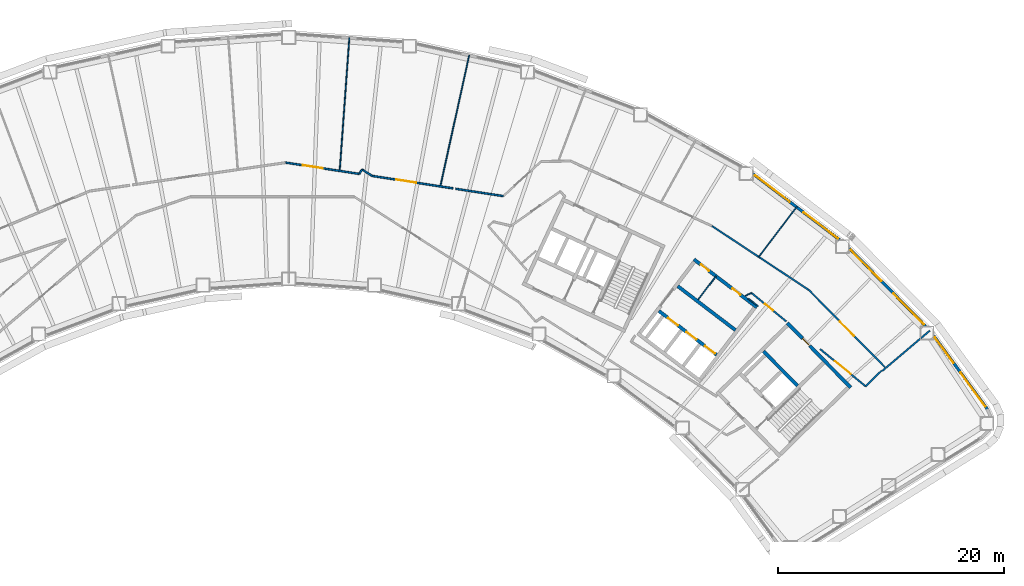
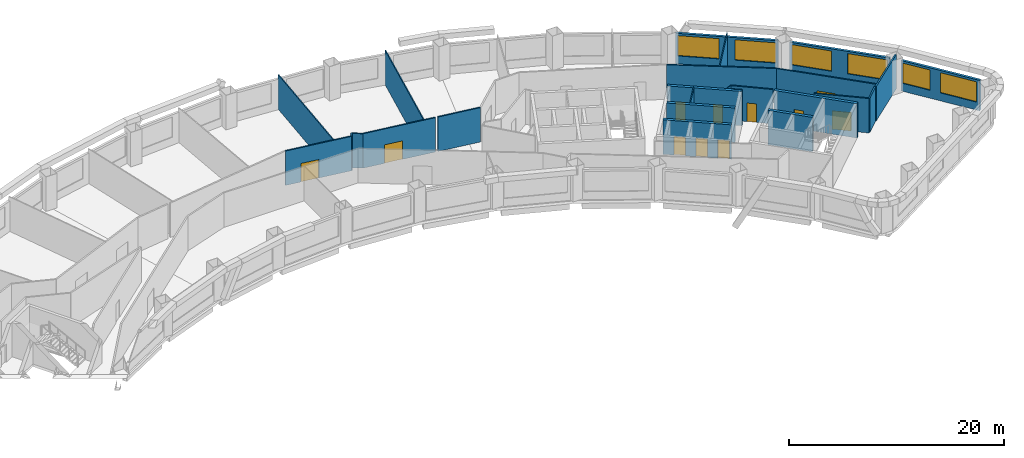
# One storey, part 7 of 11: 25 walls, 11 doors, 6 windows, 17 openings.
"""IFC4 building model written with IfcOpenShell, lengths in metres."""

from ifc_helpers import new_model, si_unit, direction, frame, frame_2d, origin, place, context, subcontext, project, spatial, rectangle, extrude, material, layer, layer_set, type_object, element, fill, save


model = new_model("IFC4")

# Units and contexts
model_context = context("Model", 3, precision=1e-05, world=origin(), true_north=direction((0.0, 1.0)))
body_context = subcontext(model_context, "Body", "Model", "MODEL_VIEW")
ifc_project = project(units=[si_unit("LENGTHUNIT", "METRE"), si_unit("AREAUNIT", "SQUARE_METRE"), si_unit("VOLUMEUNIT", "CUBIC_METRE"), si_unit("PLANEANGLEUNIT", "RADIAN"), si_unit("MASSUNIT", "GRAM", prefix="KILO")], contexts=[model_context])

# Site, building, storey
site_placement = place(None, origin())
site = spatial("IfcSite", under=ifc_project, at=site_placement, CompositionType="ELEMENT")
building_placement = place(site_placement, origin())
building = spatial("IfcBuilding", under=site, at=building_placement, Name="Tuul Gate Civic Tower", CompositionType="ELEMENT")
storey_placement = place(building_placement, frame((0.0, 0.0, 69.60009765625)))
storey = spatial("IfcBuildingStorey", under=building, at=storey_placement, Name="Level 15", CompositionType="ELEMENT", Elevation=69.60009765625)

# Wall
ifc_material_1 = material(Name="Concrete C50/60", Category="concrete")
ifc_layer_1 = layer(ifc_material_1, 0.300048828125)
ifc_layer_set_1 = layer_set([ifc_layer_1], Name="Concrete C50/60")
wall_type_1 = type_object("IfcWallType", Name="Core wall C50/60", PredefinedType="SHEAR", material=ifc_layer_set_1)
wall_1_placement = place(storey_placement, frame((49.737060546875, -12.0849609375, 0.0), z_axis=(0.0, 0.0, 1.0), x_axis=(-0.700002721075, 0.714140175657, 0.0)))
element("IfcWall", 1, at=wall_1_placement, inside=storey, type_object=wall_type_1, Name="Core wall", PredefinedType="SHEAR", context=body_context, shape_type="SweptSolid", body=[
    extrude(rectangle(XDim=4.300048828125, YDim=0.300048828125, at=frame_2d((2.14990234375, 0.0))), origin(), (0.0, 0.0, 1.0), 3.89990234375),
])

# Wall, opening, door
wall_2_placement = place(storey_placement, frame((54.43798828125, -12.23779296875, 0.0), z_axis=(0.0, 0.0, 1.0), x_axis=(-0.700021979774, 0.714121297703, 0.0)))
wall_2 = element("IfcWall", 2, at=wall_2_placement, inside=storey, type_object=wall_type_1, Name="Core wall", PredefinedType="SHEAR", context=body_context, shape_type="SweptSolid", body=[
    extrude(rectangle(XDim=8.0, YDim=0.300048828125, at=frame_2d((4.0, 0.0))), origin(), (0.0, 0.0, 1.0), 3.89990234375),
])
opening_1_placement = place(wall_2_placement, frame((5.175048828125, 0.0, 0.0)))
opening_1 = element("IfcOpeningElement", 3, at=opening_1_placement, cuts=wall_2, Name="Opening D-D26", PredefinedType="OPENING", context=body_context, shape_type="SweptSolid", body=[
    extrude(rectangle(XDim=0.89990234375, YDim=2.10009765625, at=frame_2d((0.449951171875, 1.050048828125))), frame((0.0, 0.16015625, 0.0), z_axis=(0.0, -1.0, 0.0), x_axis=(1.0, 0.0, 0.0)), (0.0, 0.0, 1.0), 0.320068359375),
])
ifc_material_2 = material(Name="Timber door leaf", Category="wood")
door_type_1 = type_object("IfcDoorType", Name="Door D09", OperationType="NOTDEFINED", PredefinedType="DOOR", material=ifc_material_2)
door_1_placement = place(opening_1_placement, origin())
door_1 = element("IfcDoor", 4, at=door_1_placement, inside=storey, type_object=door_type_1, Name="Door D-D26", OperationType="SINGLE_SWING_LEFT", OverallHeight=2.10009765625, OverallWidth=0.89990234375, PredefinedType="DOOR", context=body_context, shape_type="SweptSolid", body=[
    extrude(rectangle(XDim=0.89990234375, YDim=2.10009765625, at=frame_2d((0.449951171875, 1.050048828125))), frame((0.0, 0.02490234375, 0.0), z_axis=(0.0, -1.0, 0.0), x_axis=(1.0, 0.0, 0.0)), (0.0, 0.0, 1.0), 0.050048828125),
])
fill(opening_1, door_1)

# Walls
ifc_material_3 = material(Name="Gypsum board partition")
ifc_layer_2 = layer(ifc_material_3, 0.14990234375)
ifc_layer_set_2 = layer_set([ifc_layer_2], Name="Gypsum board partition")
wall_type_2 = type_object("IfcWallType", Name="Corridor wall P150", PredefinedType="PARTITIONING", material=ifc_layer_set_2)
wall_3_placement = place(storey_placement, frame((57.220703125, -10.765380859375, 0.0), z_axis=(0.0, 0.0, 1.0), x_axis=(0.762756963467, 0.646685251635, 0.0)))
element("IfcWall", 5, at=wall_3_placement, inside=storey, type_object=wall_type_2, Name="p005", PredefinedType="PARTITIONING", context=body_context, shape_type="SweptSolid", body=[
    extrude(rectangle(XDim=5.521240234375, YDim=0.14990234375, at=frame_2d((2.7607421875, 0.0))), origin(), (0.0, 0.0, 1.0), 3.89990234375),
])
wall_4_placement = place(storey_placement, frame((55.755859375, -12.125, 0.0), z_axis=(0.0, 0.0, 1.0), x_axis=(0.712114170621, 0.702063678024, 0.0)))
element("IfcWall", 6, at=wall_4_placement, inside=storey, type_object=wall_type_2, Name="p006", PredefinedType="PARTITIONING", context=body_context, shape_type="SweptSolid", body=[
    extrude(rectangle(XDim=1.991943359375, YDim=0.14990234375, at=frame_2d((0.99609375, 0.0))), origin(), (0.0, 0.0, 1.0), 3.89990234375),
])

# Wall, opening, door
wall_5_placement = place(storey_placement, frame((50.732421875, -3.612060546875, 0.0), z_axis=(0.0, 0.0, 1.0), x_axis=(0.702111461546, -0.712067058335, 0.0)))
wall_5 = element("IfcWall", 7, at=wall_5_placement, inside=storey, type_object=wall_type_2, Name="p007", PredefinedType="PARTITIONING", context=body_context, shape_type="SweptSolid", body=[
    extrude(rectangle(XDim=9.58837890625, YDim=0.14990234375, at=frame_2d((4.794189453125, 0.0))), origin(), (0.0, 0.0, 1.0), 3.89990234375),
])
opening_2_placement = place(wall_5_placement, frame((3.894287109375, 0.0, 0.0)))
opening_2 = element("IfcOpeningElement", 8, at=opening_2_placement, cuts=wall_5, Name="Opening D-D01", PredefinedType="OPENING", context=body_context, shape_type="SweptSolid", body=[
    extrude(rectangle(XDim=1.800048828125, YDim=2.10009765625, at=frame_2d((0.89990234375, 1.050048828125))), frame((0.0, 0.0849609375, 0.0), z_axis=(0.0, -1.0, 0.0), x_axis=(1.0, 0.0, 0.0)), (0.0, 0.0, 1.0), 0.169921875),
])
ifc_material_4 = material(Name="Timber door leaf, double", Category="wood")
door_type_2 = type_object("IfcDoorType", Name="Door D18", OperationType="DOUBLE_DOOR_SINGLE_SWING", PredefinedType="DOOR", material=ifc_material_4)
door_2_placement = place(opening_2_placement, origin())
door_2 = element("IfcDoor", 9, at=door_2_placement, inside=storey, type_object=door_type_2, Name="Door D-D01", OperationType="DOUBLE_DOOR_SINGLE_SWING", OverallHeight=2.10009765625, OverallWidth=1.800048828125, PredefinedType="DOOR", context=body_context, shape_type="SweptSolid", body=[
    extrude(rectangle(XDim=1.800048828125, YDim=2.10009765625, at=frame_2d((0.89990234375, 1.050048828125))), frame((0.0, 0.02490234375, 0.0), z_axis=(0.0, -1.0, 0.0), x_axis=(1.0, 0.0, 0.0)), (0.0, 0.0, 1.0), 0.050048828125),
])
fill(opening_2, door_2)

# Wall
wall_6_placement = place(storey_placement, frame((42.18701171875, 2.031005859375, 0.0), z_axis=(0.0, 0.0, 1.0), x_axis=(0.83447433261, -0.551046811274, 0.0)))
element("IfcWall", 10, at=wall_6_placement, inside=storey, type_object=wall_type_2, Name="p008", PredefinedType="PARTITIONING", context=body_context, shape_type="SweptSolid", body=[
    extrude(rectangle(XDim=10.2392578125, YDim=0.14990234375, at=frame_2d((5.11962890625, 0.0))), origin(), (0.0, 0.0, 1.0), 3.89990234375),
])

# Wall, opening, door
wall_7_placement = place(storey_placement, frame((4.53759765625, 7.633056640625, 0.0), z_axis=(0.0, 0.0, 1.0), x_axis=(0.988356636403, -0.152155050121, 0.0)))
wall_7 = element("IfcWall", 11, at=wall_7_placement, inside=storey, type_object=wall_type_2, Name="p015", PredefinedType="PARTITIONING", context=body_context, shape_type="SweptSolid", body=[
    extrude(rectangle(XDim=6.56103515625, YDim=0.14990234375, at=frame_2d((3.280517578125, 0.0))), origin(), (0.0, 0.0, 1.0), 3.89990234375),
])
opening_3_placement = place(wall_7_placement, frame((1.51220703125, 0.0, 0.0)))
opening_3 = element("IfcOpeningElement", 12, at=opening_3_placement, cuts=wall_7, Name="Opening D-D06", PredefinedType="OPENING", context=body_context, shape_type="SweptSolid", body=[
    extrude(rectangle(XDim=1.800048828125, YDim=2.10009765625, at=frame_2d((0.89990234375, 1.050048828125))), frame((0.0, 0.0849609375, 0.0), z_axis=(0.0, -1.0, 0.0), x_axis=(1.0, 0.0, 0.0)), (0.0, 0.0, 1.0), 0.169921875),
])
door_3_placement = place(opening_3_placement, origin())
door_3 = element("IfcDoor", 13, at=door_3_placement, inside=storey, type_object=door_type_2, Name="Door D-D06", OperationType="DOUBLE_DOOR_SINGLE_SWING", OverallHeight=2.10009765625, OverallWidth=1.800048828125, PredefinedType="DOOR", context=body_context, shape_type="SweptSolid", body=[
    extrude(rectangle(XDim=1.800048828125, YDim=2.10009765625, at=frame_2d((0.89990234375, 1.050048828125))), frame((0.0, 0.02490234375, 0.0), z_axis=(0.0, -1.0, 0.0), x_axis=(1.0, 0.0, 0.0)), (0.0, 0.0, 1.0), 0.050048828125),
])
fill(opening_3, door_3)

wall_8_placement = place(storey_placement, frame((12.17724609375, 6.456787109375, 0.0), z_axis=(0.0, 0.0, 1.0), x_axis=(0.988356444346, -0.15215629767, 0.0)))
wall_8 = element("IfcWall", 14, at=wall_8_placement, inside=storey, type_object=wall_type_2, Name="p016", PredefinedType="PARTITIONING", context=body_context, shape_type="SweptSolid", body=[
    extrude(rectangle(XDim=7.21875, YDim=0.14990234375, at=frame_2d((3.609375, 0.0))), origin(), (0.0, 0.0, 1.0), 3.89990234375),
])
opening_4_placement = place(wall_8_placement, frame((2.14208984375, 0.0, 0.0)))
opening_4 = element("IfcOpeningElement", 15, at=opening_4_placement, cuts=wall_8, Name="Opening D-D05", PredefinedType="OPENING", context=body_context, shape_type="SweptSolid", body=[
    extrude(rectangle(XDim=1.800048828125, YDim=2.10009765625, at=frame_2d((0.89990234375, 1.050048828125))), frame((0.0, 0.0849609375, 0.0), z_axis=(0.0, -1.0, 0.0), x_axis=(1.0, 0.0, 0.0)), (0.0, 0.0, 1.0), 0.169921875),
])
door_4_placement = place(opening_4_placement, origin())
door_4 = element("IfcDoor", 16, at=door_4_placement, inside=storey, type_object=door_type_2, Name="Door D-D05", OperationType="DOUBLE_DOOR_SINGLE_SWING", OverallHeight=2.10009765625, OverallWidth=1.800048828125, PredefinedType="DOOR", context=body_context, shape_type="SweptSolid", body=[
    extrude(rectangle(XDim=1.800048828125, YDim=2.10009765625, at=frame_2d((0.89990234375, 1.050048828125))), frame((0.0, 0.02490234375, 0.0), z_axis=(0.0, -1.0, 0.0), x_axis=(1.0, 0.0, 0.0)), (0.0, 0.0, 1.0), 0.050048828125),
])
fill(opening_4, door_4)

# Walls
wall_9_placement = place(storey_placement, frame((19.557861328125, 5.3203125, 0.0), z_axis=(0.0, 0.0, 1.0), x_axis=(0.988357045935, -0.152152389894, 0.0)))
element("IfcWall", 17, at=wall_9_placement, inside=storey, type_object=wall_type_2, Name="p017", PredefinedType="PARTITIONING", context=body_context, shape_type="SweptSolid", body=[
    extrude(rectangle(XDim=4.2392578125, YDim=0.14990234375, at=frame_2d((2.11962890625, 0.0))), origin(), (0.0, 0.0, 1.0), 3.89990234375),
])
wall_10_placement = place(storey_placement, frame((11.286865234375, 7.02490234375, 0.0), z_axis=(0.0, 0.0, 1.0), x_axis=(0.842191023911, -0.539179264478, 0.0)))
element("IfcWall", 18, at=wall_10_placement, inside=storey, type_object=wall_type_2, Name="p020", PredefinedType="PARTITIONING", context=body_context, shape_type="SweptSolid", body=[
    extrude(rectangle(XDim=1.04833984375, YDim=0.14990234375, at=frame_2d((0.524169921875, 0.0))), origin(), (0.0, 0.0, 1.0), 3.89990234375),
])
wall_11_placement = place(storey_placement, frame((11.0419921875, 6.6435546875, 0.0), z_axis=(0.0, 0.0, 1.0), x_axis=(0.539421014739, 0.842036204007, 0.0)))
element("IfcWall", 19, at=wall_11_placement, inside=storey, type_object=wall_type_2, Name="p022", PredefinedType="PARTITIONING", context=body_context, shape_type="SweptSolid", body=[
    extrude(rectangle(XDim=0.45263671875, YDim=0.14990234375, at=frame_2d((0.226318359375, 0.0))), origin(), (0.0, 0.0, 1.0), 3.89990234375),
])

# Wall, opening, door
wall_12_placement = place(storey_placement, frame((45.670166015625, -3.87744140625, 0.0), z_axis=(0.0, 0.0, 1.0), x_axis=(0.774123920391, -0.633034087454, 0.0)))
wall_12 = element("IfcWall", 20, at=wall_12_placement, inside=storey, type_object=wall_type_2, Name="p061", PredefinedType="PARTITIONING", context=body_context, shape_type="SweptSolid", body=[
    extrude(rectangle(XDim=3.981689453125, YDim=0.14990234375, at=frame_2d((1.99072265625, 0.0))), origin(), (0.0, 0.0, 1.0), 3.89990234375),
])
opening_5_placement = place(wall_12_placement, frame((1.541015625, 0.0, 0.0)))
opening_5 = element("IfcOpeningElement", 21, at=opening_5_placement, cuts=wall_12, Name="Opening D-D19", PredefinedType="OPENING", context=body_context, shape_type="SweptSolid", body=[
    extrude(rectangle(XDim=0.89990234375, YDim=2.10009765625, at=frame_2d((0.449951171875, 1.050048828125))), frame((0.0, 0.0849609375, 0.0), z_axis=(0.0, -1.0, 0.0), x_axis=(1.0, 0.0, 0.0)), (0.0, 0.0, 1.0), 0.169921875),
])
door_5_placement = place(opening_5_placement, frame((0.89990234375, 0.0, 0.0), z_axis=(0.0, 0.0, 1.0), x_axis=(-1.0, 0.0, 0.0)))
door_5 = element("IfcDoor", 22, at=door_5_placement, inside=storey, type_object=door_type_1, Name="Door D-D19", OperationType="SINGLE_SWING_LEFT", OverallHeight=2.10009765625, OverallWidth=0.89990234375, PredefinedType="DOOR", context=body_context, shape_type="SweptSolid", body=[
    extrude(rectangle(XDim=0.89990234375, YDim=2.10009765625, at=frame_2d((0.449951171875, 1.050048828125))), frame((0.0, 0.02490234375, 0.0), z_axis=(0.0, -1.0, 0.0), x_axis=(1.0, 0.0, 0.0)), (0.0, 0.0, 1.0), 0.050048828125),
])
fill(opening_5, door_5)

wall_13_placement = place(storey_placement, frame((51.736328125, -8.838134765625, 0.0), z_axis=(0.0, 0.0, 1.0), x_axis=(0.77413114954, -0.633025246979, 0.0)))
wall_13 = element("IfcWall", 23, at=wall_13_placement, inside=storey, type_object=wall_type_2, Name="p062", PredefinedType="PARTITIONING", context=body_context, shape_type="SweptSolid", body=[
    extrude(rectangle(XDim=5.1923828125, YDim=0.14990234375, at=frame_2d((2.59619140625, 0.0))), origin(), (0.0, 0.0, 1.0), 3.89990234375),
])
opening_6_placement = place(wall_13_placement, frame((1.6962890625, 0.0, 0.0)))
opening_6 = element("IfcOpeningElement", 24, at=opening_6_placement, cuts=wall_13, Name="Opening D-D21", PredefinedType="OPENING", context=body_context, shape_type="SweptSolid", body=[
    extrude(rectangle(XDim=1.800048828125, YDim=2.10009765625, at=frame_2d((0.89990234375, 1.050048828125))), frame((0.0, 0.0849609375, 0.0), z_axis=(0.0, -1.0, 0.0), x_axis=(1.0, 0.0, 0.0)), (0.0, 0.0, 1.0), 0.169921875),
])
door_6_placement = place(opening_6_placement, origin())
door_6 = element("IfcDoor", 25, at=door_6_placement, inside=storey, type_object=door_type_2, Name="Door D-D21", OperationType="DOUBLE_DOOR_SINGLE_SWING", OverallHeight=2.10009765625, OverallWidth=1.800048828125, PredefinedType="DOOR", context=body_context, shape_type="SweptSolid", body=[
    extrude(rectangle(XDim=1.800048828125, YDim=2.10009765625, at=frame_2d((0.89990234375, 1.050048828125))), frame((0.0, 0.02490234375, 0.0), z_axis=(0.0, -1.0, 0.0), x_axis=(1.0, 0.0, 0.0)), (0.0, 0.0, 1.0), 0.050048828125),
])
fill(opening_6, door_6)

# Wall, openings, windows
ifc_material_5 = material(Name="Precast concrete C40/50", Category="concrete")
ifc_layer_3 = layer(ifc_material_5, 0.25)
ifc_layer_set_3 = layer_set([ifc_layer_3], Name="Precast concrete C40/50")
wall_type_3 = type_object("IfcWallType", Name="External wall", PredefinedType="STANDARD", material=ifc_layer_set_3)
wall_14_placement = place(storey_placement, frame((66.498046875, -14.138671875, 0.0), z_axis=(0.0, 0.0, 1.0), x_axis=(-0.589838269776, 0.807521402508, 0.0)))
wall_14 = element("IfcWall", 26, at=wall_14_placement, inside=storey, type_object=wall_type_3, Name="External wall", PredefinedType="STANDARD", context=body_context, shape_type="SweptSolid", body=[
    extrude(rectangle(XDim=7.998779296875, YDim=0.25, at=frame_2d((3.99951171875, 0.0))), origin(), (0.0, 0.0, 1.0), 3.449951171875),
])
opening_7_placement = place(wall_14_placement, frame((0.301025390625, 0.0, 0.89990234375)))
opening_7 = element("IfcOpeningElement", 27, at=opening_7_placement, cuts=wall_14, Name="Opening W21", PredefinedType="OPENING", context=body_context, shape_type="SweptSolid", body=[
    extrude(rectangle(XDim=3.699951171875, YDim=2.300048828125, at=frame_2d((1.85009765625, 1.14990234375))), frame((0.0, 0.135009765625, 0.0), z_axis=(0.0, -1.0, 0.0), x_axis=(1.0, 0.0, 0.0)), (0.0, 0.0, 1.0), 0.27001953125),
])
opening_8_placement = place(wall_14_placement, frame((5.052978515625, 0.0, 0.89990234375)))
opening_8 = element("IfcOpeningElement", 28, at=opening_8_placement, cuts=wall_14, Name="Opening W23", PredefinedType="OPENING", context=body_context, shape_type="SweptSolid", body=[
    extrude(rectangle(XDim=2.800048828125, YDim=2.300048828125, at=frame_2d((1.39990234375, 1.14990234375))), frame((0.0, 0.135009765625, 0.0), z_axis=(0.0, -1.0, 0.0), x_axis=(1.0, 0.0, 0.0)), (0.0, 0.0, 1.0), 0.27001953125),
])
ifc_material_6 = material(Name="Glass", Category="glass")
window_type_1 = type_object("IfcWindowType", Name="Window W21 3700 x 2300", PartitioningType="SINGLE_PANEL", PredefinedType="WINDOW", material=ifc_material_6)
window_1_placement = place(opening_7_placement, origin())
window_1 = element("IfcWindow", 29, at=window_1_placement, inside=storey, type_object=window_type_1, Name="Window", OverallHeight=2.300048828125, OverallWidth=3.699951171875, PartitioningType="SINGLE_PANEL", PredefinedType="WINDOW", context=body_context, shape_type="SweptSolid", body=[
    extrude(rectangle(XDim=3.699951171875, YDim=2.300048828125, at=frame_2d((1.85009765625, 1.14990234375))), frame((0.0, 0.030029296875, 0.0), z_axis=(0.0, -1.0, 0.0), x_axis=(1.0, 0.0, 0.0)), (0.0, 0.0, 1.0), 0.06005859375),
])
fill(opening_7, window_1)
ifc_material_7 = material(Name="Glass", Category="glass")
window_type_2 = type_object("IfcWindowType", Name="Window W23 2800 x 2300", PartitioningType="SINGLE_PANEL", PredefinedType="WINDOW", material=ifc_material_7)
window_2_placement = place(opening_8_placement, origin())
window_2 = element("IfcWindow", 30, at=window_2_placement, inside=storey, type_object=window_type_2, Name="Window", OverallHeight=2.300048828125, OverallWidth=2.800048828125, PartitioningType="SINGLE_PANEL", PredefinedType="WINDOW", context=body_context, shape_type="SweptSolid", body=[
    extrude(rectangle(XDim=2.800048828125, YDim=2.300048828125, at=frame_2d((1.39990234375, 1.14990234375))), frame((0.0, 0.030029296875, 0.0), z_axis=(0.0, -1.0, 0.0), x_axis=(1.0, 0.0, 0.0)), (0.0, 0.0, 1.0), 0.06005859375),
])
fill(opening_8, window_2)

wall_15_placement = place(storey_placement, frame((61.047119140625, -6.80908203125, 0.0), z_axis=(0.0, 0.0, 1.0), x_axis=(-0.700049104252, 0.714094707749, 0.0)))
wall_15 = element("IfcWall", 31, at=wall_15_placement, inside=storey, type_object=wall_type_3, Name="External wall", PredefinedType="STANDARD", context=body_context, shape_type="SweptSolid", body=[
    extrude(rectangle(XDim=9.629638671875, YDim=0.25, at=frame_2d((4.81494140625, 0.0))), origin(), (0.0, 0.0, 1.0), 3.449951171875),
])
opening_9_placement = place(wall_15_placement, frame((0.206787109375, 0.0, 0.89990234375)))
opening_9 = element("IfcOpeningElement", 32, at=opening_9_placement, cuts=wall_15, Name="Opening W22", PredefinedType="OPENING", context=body_context, shape_type="SweptSolid", body=[
    extrude(rectangle(XDim=3.85009765625, YDim=2.300048828125, at=frame_2d((1.925048828125, 1.14990234375))), frame((0.0, 0.135009765625, 0.0), z_axis=(0.0, -1.0, 0.0), x_axis=(1.0, 0.0, 0.0)), (0.0, 0.0, 1.0), 0.27001953125),
])
opening_10_placement = place(wall_15_placement, frame((5.577880859375, 0.0, 0.89990234375)))
opening_10 = element("IfcOpeningElement", 33, at=opening_10_placement, cuts=wall_15, Name="Opening W22", PredefinedType="OPENING", context=body_context, shape_type="SweptSolid", body=[
    extrude(rectangle(XDim=3.85009765625, YDim=2.300048828125, at=frame_2d((1.925048828125, 1.14990234375))), frame((0.0, 0.135009765625, 0.0), z_axis=(0.0, -1.0, 0.0), x_axis=(1.0, 0.0, 0.0)), (0.0, 0.0, 1.0), 0.27001953125),
])
ifc_material_8 = material(Name="Glass", Category="glass")
window_type_3 = type_object("IfcWindowType", Name="Window W22 3850 x 2300", PartitioningType="SINGLE_PANEL", PredefinedType="WINDOW", material=ifc_material_8)
window_3_placement = place(opening_9_placement, origin())
window_3 = element("IfcWindow", 34, at=window_3_placement, inside=storey, type_object=window_type_3, Name="Window", OverallHeight=2.300048828125, OverallWidth=3.85009765625, PartitioningType="SINGLE_PANEL", PredefinedType="WINDOW", context=body_context, shape_type="SweptSolid", body=[
    extrude(rectangle(XDim=3.85009765625, YDim=2.300048828125, at=frame_2d((1.925048828125, 1.14990234375))), frame((0.0, 0.030029296875, 0.0), z_axis=(0.0, -1.0, 0.0), x_axis=(1.0, 0.0, 0.0)), (0.0, 0.0, 1.0), 0.06005859375),
])
fill(opening_9, window_3)
window_4_placement = place(opening_10_placement, origin())
window_4 = element("IfcWindow", 35, at=window_4_placement, inside=storey, type_object=window_type_3, Name="Window", OverallHeight=2.300048828125, OverallWidth=3.85009765625, PartitioningType="SINGLE_PANEL", PredefinedType="WINDOW", context=body_context, shape_type="SweptSolid", body=[
    extrude(rectangle(XDim=3.85009765625, YDim=2.300048828125, at=frame_2d((1.925048828125, 1.14990234375))), frame((0.0, 0.030029296875, 0.0), z_axis=(0.0, -1.0, 0.0), x_axis=(1.0, 0.0, 0.0)), (0.0, 0.0, 1.0), 0.06005859375),
])
fill(opening_10, window_4)

wall_16_placement = place(storey_placement, frame((53.45361328125, 0.81591796875, 0.0), z_axis=(0.0, 0.0, 1.0), x_axis=(-0.795611381341, 0.605807337262, 0.0)))
wall_16 = element("IfcWall", 36, at=wall_16_placement, inside=storey, type_object=wall_type_3, Name="External wall", PredefinedType="STANDARD", context=body_context, shape_type="SweptSolid", body=[
    extrude(rectangle(XDim=9.60595703125, YDim=0.25, at=frame_2d((4.802978515625, 0.0))), origin(), (0.0, 0.0, 1.0), 3.449951171875),
])
opening_11_placement = place(wall_16_placement, frame((0.1640625, 0.0, 0.89990234375)))
opening_11 = element("IfcOpeningElement", 37, at=opening_11_placement, cuts=wall_16, Name="Opening W22", PredefinedType="OPENING", context=body_context, shape_type="SweptSolid", body=[
    extrude(rectangle(XDim=3.85009765625, YDim=2.300048828125, at=frame_2d((1.925048828125, 1.14990234375))), frame((0.0, 0.135009765625, 0.0), z_axis=(0.0, -1.0, 0.0), x_axis=(1.0, 0.0, 0.0)), (0.0, 0.0, 1.0), 0.27001953125),
])
opening_12_placement = place(wall_16_placement, frame((5.535400390625, 0.0, 0.89990234375)))
opening_12 = element("IfcOpeningElement", 38, at=opening_12_placement, cuts=wall_16, Name="Opening W22", PredefinedType="OPENING", context=body_context, shape_type="SweptSolid", body=[
    extrude(rectangle(XDim=3.85009765625, YDim=2.300048828125, at=frame_2d((1.925048828125, 1.14990234375))), frame((0.0, 0.135009765625, 0.0), z_axis=(0.0, -1.0, 0.0), x_axis=(1.0, 0.0, 0.0)), (0.0, 0.0, 1.0), 0.27001953125),
])
window_5_placement = place(opening_11_placement, origin())
window_5 = element("IfcWindow", 39, at=window_5_placement, inside=storey, type_object=window_type_3, Name="Window", OverallHeight=2.300048828125, OverallWidth=3.85009765625, PartitioningType="SINGLE_PANEL", PredefinedType="WINDOW", context=body_context, shape_type="SweptSolid", body=[
    extrude(rectangle(XDim=3.85009765625, YDim=2.300048828125, at=frame_2d((1.925048828125, 1.14990234375))), frame((0.0, 0.030029296875, 0.0), z_axis=(0.0, -1.0, 0.0), x_axis=(1.0, 0.0, 0.0)), (0.0, 0.0, 1.0), 0.06005859375),
])
fill(opening_11, window_5)
window_6_placement = place(opening_12_placement, origin())
window_6 = element("IfcWindow", 40, at=window_6_placement, inside=storey, type_object=window_type_3, Name="Window", OverallHeight=2.300048828125, OverallWidth=3.85009765625, PartitioningType="SINGLE_PANEL", PredefinedType="WINDOW", context=body_context, shape_type="SweptSolid", body=[
    extrude(rectangle(XDim=3.85009765625, YDim=2.300048828125, at=frame_2d((1.925048828125, 1.14990234375))), frame((0.0, 0.030029296875, 0.0), z_axis=(0.0, -1.0, 0.0), x_axis=(1.0, 0.0, 0.0)), (0.0, 0.0, 1.0), 0.06005859375),
])
fill(opening_12, window_6)

# Wall, openings, doors
ifc_material_9 = material(Name="Concrete C40/50", Category="concrete")
ifc_layer_4 = layer(ifc_material_9, 0.300048828125)
ifc_layer_set_4 = layer_set([ifc_layer_4], Name="Concrete C40/50")
wall_type_4 = type_object("IfcWallType", Name="Lift shaft wall C40/50", PredefinedType="STANDARD", material=ifc_layer_set_4)
wall_17_placement = place(storey_placement, frame((42.5888671875, -9.34765625, 0.0), z_axis=(0.0, 0.0, 1.0), x_axis=(-0.795584062101, 0.605843214149, 0.0)))
wall_17 = element("IfcWall", 41, at=wall_17_placement, inside=storey, type_object=wall_type_4, Name="Shaft wall", PredefinedType="STANDARD", context=body_context, shape_type="SweptSolid", body=[
    extrude(rectangle(XDim=6.400146484375, YDim=0.300048828125, at=frame_2d((3.2001953125, 0.0))), origin(), (0.0, 0.0, 1.0), 3.89990234375),
])
opening_13_placement = place(wall_17_placement, frame((0.175048828125, 0.0, 0.0)))
opening_13 = element("IfcOpeningElement", 42, at=opening_13_placement, cuts=wall_17, Name="Opening LD-L1", PredefinedType="OPENING", context=body_context, shape_type="SweptSolid", body=[
    extrude(rectangle(XDim=1.10009765625, YDim=2.10009765625, at=frame_2d((0.550048828125, 1.050048828125))), frame((0.0, 0.16015625, 0.0), z_axis=(0.0, -1.0, 0.0), x_axis=(1.0, 0.0, 0.0)), (0.0, 0.0, 1.0), 0.320068359375),
])
opening_14_placement = place(wall_17_placement, frame((2.22509765625, 0.0, 0.0)))
opening_14 = element("IfcOpeningElement", 43, at=opening_14_placement, cuts=wall_17, Name="Opening LD-L2", PredefinedType="OPENING", context=body_context, shape_type="SweptSolid", body=[
    extrude(rectangle(XDim=1.10009765625, YDim=2.10009765625, at=frame_2d((0.550048828125, 1.050048828125))), frame((0.0, 0.16015625, 0.0), z_axis=(0.0, -1.0, 0.0), x_axis=(1.0, 0.0, 0.0)), (0.0, 0.0, 1.0), 0.320068359375),
])
opening_15_placement = place(wall_17_placement, frame((4.27490234375, 0.0, 0.0)))
opening_15 = element("IfcOpeningElement", 44, at=opening_15_placement, cuts=wall_17, Name="Opening LD-L3", PredefinedType="OPENING", context=body_context, shape_type="SweptSolid", body=[
    extrude(rectangle(XDim=1.10009765625, YDim=2.10009765625, at=frame_2d((0.550048828125, 1.050048828125))), frame((0.0, 0.16015625, 0.0), z_axis=(0.0, -1.0, 0.0), x_axis=(1.0, 0.0, 0.0)), (0.0, 0.0, 1.0), 0.320068359375),
])
ifc_material_10 = material(Name="Stainless steel", Category="steel")
door_type_3 = type_object("IfcDoorType", Name="Landing door", OperationType="DOUBLE_DOOR_SLIDING", PredefinedType="DOOR", material=ifc_material_10)
door_7_placement = place(opening_13_placement, origin())
door_7 = element("IfcDoor", 45, at=door_7_placement, inside=storey, type_object=door_type_3, Name="Low-rise lift L1 landing door", OperationType="DOUBLE_DOOR_SLIDING", OverallHeight=2.10009765625, OverallWidth=1.10009765625, PredefinedType="DOOR", context=body_context, shape_type="SweptSolid", body=[
    extrude(rectangle(XDim=1.10009765625, YDim=2.10009765625, at=frame_2d((0.550048828125, 1.050048828125))), frame((0.0, 0.02490234375, 0.0), z_axis=(0.0, -1.0, 0.0), x_axis=(1.0, 0.0, 0.0)), (0.0, 0.0, 1.0), 0.050048828125),
])
fill(opening_13, door_7)
door_8_placement = place(opening_14_placement, origin())
door_8 = element("IfcDoor", 46, at=door_8_placement, inside=storey, type_object=door_type_3, Name="Low-rise lift L2 landing door", OperationType="DOUBLE_DOOR_SLIDING", OverallHeight=2.10009765625, OverallWidth=1.10009765625, PredefinedType="DOOR", context=body_context, shape_type="SweptSolid", body=[
    extrude(rectangle(XDim=1.10009765625, YDim=2.10009765625, at=frame_2d((0.550048828125, 1.050048828125))), frame((0.0, 0.02490234375, 0.0), z_axis=(0.0, -1.0, 0.0), x_axis=(1.0, 0.0, 0.0)), (0.0, 0.0, 1.0), 0.050048828125),
])
fill(opening_14, door_8)
door_9_placement = place(opening_15_placement, origin())
door_9 = element("IfcDoor", 47, at=door_9_placement, inside=storey, type_object=door_type_3, Name="Low-rise lift L3 landing door", OperationType="DOUBLE_DOOR_SLIDING", OverallHeight=2.10009765625, OverallWidth=1.10009765625, PredefinedType="DOOR", context=body_context, shape_type="SweptSolid", body=[
    extrude(rectangle(XDim=1.10009765625, YDim=2.10009765625, at=frame_2d((0.550048828125, 1.050048828125))), frame((0.0, 0.02490234375, 0.0), z_axis=(0.0, -1.0, 0.0), x_axis=(1.0, 0.0, 0.0)), (0.0, 0.0, 1.0), 0.050048828125),
])
fill(opening_15, door_9)

# Wall
wall_18_placement = place(storey_placement, frame((44.254638671875, -7.15966796875, 0.0), z_axis=(0.0, 0.0, 1.0), x_axis=(-0.795565675562, 0.605867358312, 0.0)))
element("IfcWall", 48, at=wall_18_placement, inside=storey, type_object=wall_type_4, Name="Shaft wall", PredefinedType="STANDARD", context=body_context, shape_type="SweptSolid", body=[
    extrude(rectangle(XDim=6.400146484375, YDim=0.300048828125, at=frame_2d((3.2001953125, 0.0))), origin(), (0.0, 0.0, 1.0), 3.89990234375),
])

# Wall, openings, doors
wall_19_placement = place(storey_placement, frame((46.1591796875, -5.1533203125, 0.0), z_axis=(0.0, 0.0, 1.0), x_axis=(-0.795579811045, 0.605848796531, 0.0)))
wall_19 = element("IfcWall", 49, at=wall_19_placement, inside=storey, type_object=wall_type_4, Name="Shaft wall", PredefinedType="STANDARD", context=body_context, shape_type="SweptSolid", body=[
    extrude(rectangle(XDim=7.0, YDim=0.300048828125, at=frame_2d((3.5, 0.0))), origin(), (0.0, 0.0, 1.0), 3.89990234375),
])
opening_16_placement = place(wall_19_placement, frame((1.824951171875, 0.0, 0.0)))
opening_16 = element("IfcOpeningElement", 50, at=opening_16_placement, cuts=wall_19, Name="Opening D-D24", PredefinedType="OPENING", context=body_context, shape_type="SweptSolid", body=[
    extrude(rectangle(XDim=0.89990234375, YDim=2.10009765625, at=frame_2d((0.449951171875, 1.050048828125))), frame((0.0, 0.16015625, 0.0), z_axis=(0.0, -1.0, 0.0), x_axis=(1.0, 0.0, 0.0)), (0.0, 0.0, 1.0), 0.320068359375),
])
opening_17_placement = place(wall_19_placement, frame((5.324951171875, 0.0, 0.0)))
opening_17 = element("IfcOpeningElement", 51, at=opening_17_placement, cuts=wall_19, Name="Opening D-D25", PredefinedType="OPENING", context=body_context, shape_type="SweptSolid", body=[
    extrude(rectangle(XDim=0.89990234375, YDim=2.10009765625, at=frame_2d((0.449951171875, 1.050048828125))), frame((0.0, 0.16015625, 0.0), z_axis=(0.0, -1.0, 0.0), x_axis=(1.0, 0.0, 0.0)), (0.0, 0.0, 1.0), 0.320068359375),
])
door_10_placement = place(opening_16_placement, origin())
door_10 = element("IfcDoor", 52, at=door_10_placement, inside=storey, type_object=door_type_1, Name="Door D-D24", OperationType="SINGLE_SWING_LEFT", OverallHeight=2.10009765625, OverallWidth=0.89990234375, PredefinedType="DOOR", context=body_context, shape_type="SweptSolid", body=[
    extrude(rectangle(XDim=0.89990234375, YDim=2.10009765625, at=frame_2d((0.449951171875, 1.050048828125))), frame((0.0, 0.02490234375, 0.0), z_axis=(0.0, -1.0, 0.0), x_axis=(1.0, 0.0, 0.0)), (0.0, 0.0, 1.0), 0.050048828125),
])
fill(opening_16, door_10)
door_11_placement = place(opening_17_placement, origin())
door_11 = element("IfcDoor", 53, at=door_11_placement, inside=storey, type_object=door_type_1, Name="Door D-D25", OperationType="SINGLE_SWING_RIGHT", OverallHeight=2.10009765625, OverallWidth=0.89990234375, PredefinedType="DOOR", context=body_context, shape_type="SweptSolid", body=[
    extrude(rectangle(XDim=0.89990234375, YDim=2.10009765625, at=frame_2d((0.449951171875, 1.050048828125))), frame((0.0, 0.02490234375, 0.0), z_axis=(0.0, -1.0, 0.0), x_axis=(1.0, 0.0, 0.0)), (0.0, 0.0, 1.0), 0.050048828125),
])
fill(opening_17, door_11)

# Walls
ifc_material_11 = material(Name="Gypsum board partition")
ifc_layer_5 = layer(ifc_material_11, 0.10009765625)
ifc_layer_set_5 = layer_set([ifc_layer_5], Name="Gypsum board partition")
wall_type_5 = type_object("IfcWallType", Name="Partition P100", PredefinedType="PARTITIONING", material=ifc_layer_set_5)
wall_20_placement = place(storey_placement, frame((46.306396484375, -0.689208984375, 0.0), z_axis=(0.0, 0.0, 1.0), x_axis=(0.605809182621, 0.795609976215, 0.0)))
element("IfcWall", 54, at=wall_20_placement, inside=storey, type_object=wall_type_5, Name="p001", PredefinedType="PARTITIONING", context=body_context, shape_type="SweptSolid", body=[
    extrude(rectangle(XDim=5.532470703125, YDim=0.10009765625, at=frame_2d((2.76611328125, 0.0))), origin(), (0.0, 0.0, 1.0), 3.89990234375),
])
wall_21_placement = place(storey_placement, frame((18.19091796875, 5.531005859375, 0.0), z_axis=(0.0, 0.0, 1.0), x_axis=(0.215214146371, 0.976566880045, 0.0)))
element("IfcWall", 55, at=wall_21_placement, inside=storey, type_object=wall_type_5, Name="p013", PredefinedType="PARTITIONING", context=body_context, shape_type="SweptSolid", body=[
    extrude(rectangle(XDim=11.855712890625, YDim=0.10009765625, at=frame_2d((5.927734375, 0.0))), origin(), (0.0, 0.0, 1.0), 3.89990234375),
])
wall_22_placement = place(storey_placement, frame((9.3056640625, 6.89892578125, 0.0), z_axis=(0.0, 0.0, 1.0), x_axis=(0.07225424524, 0.997386246168, 0.0)))
element("IfcWall", 56, at=wall_22_placement, inside=storey, type_object=wall_type_5, Name="p019", PredefinedType="PARTITIONING", context=body_context, shape_type="SweptSolid", body=[
    extrude(rectangle(XDim=11.7822265625, YDim=0.10009765625, at=frame_2d((5.89111328125, 0.0))), origin(), (0.0, 0.0, 1.0), 3.89990234375),
])
wall_23_placement = place(storey_placement, frame((46.25, -5.0341796875, 0.0), z_axis=(0.0, 0.0, 1.0), x_axis=(-0.795593221317, 0.605831186218, 0.0)))
element("IfcWall", 57, at=wall_23_placement, inside=storey, type_object=wall_type_5, Name="p067", PredefinedType="PARTITIONING", context=body_context, shape_type="SweptSolid", body=[
    extrude(rectangle(XDim=1.07568359375, YDim=0.10009765625, at=frame_2d((0.537841796875, 0.0))), origin(), (0.0, 0.0, 1.0), 3.89990234375),
])
wall_24_placement = place(storey_placement, frame((45.670166015625, -3.87744140625, 0.0), z_axis=(0.0, 0.0, 1.0), x_axis=(-0.908493606943, -0.417898751067, 0.0)))
element("IfcWall", 58, at=wall_24_placement, inside=storey, type_object=wall_type_5, Name="p074", PredefinedType="PARTITIONING", context=body_context, shape_type="SweptSolid", body=[
    extrude(rectangle(XDim=0.587646484375, YDim=0.10009765625, at=frame_2d((0.2939453125, 0.0))), origin(), (0.0, 0.0, 1.0), 3.89990234375),
])
wall_25_placement = place(storey_placement, frame((40.96435546875, -4.46533203125, 0.0), z_axis=(0.0, 0.0, 1.0), x_axis=(0.605768745095, 0.795640765337, 0.0)))
element("IfcWall", 59, at=wall_25_placement, inside=storey, type_object=wall_type_5, Name="bE2-BAND-0", PredefinedType="PARTITIONING", context=body_context, shape_type="SweptSolid", body=[
    extrude(rectangle(XDim=2.599853515625, YDim=0.10009765625, at=frame_2d((1.2998046875, 0.0))), origin(), (0.0, 0.0, 1.0), 3.89990234375),
])

save(model, "model.ifc")
